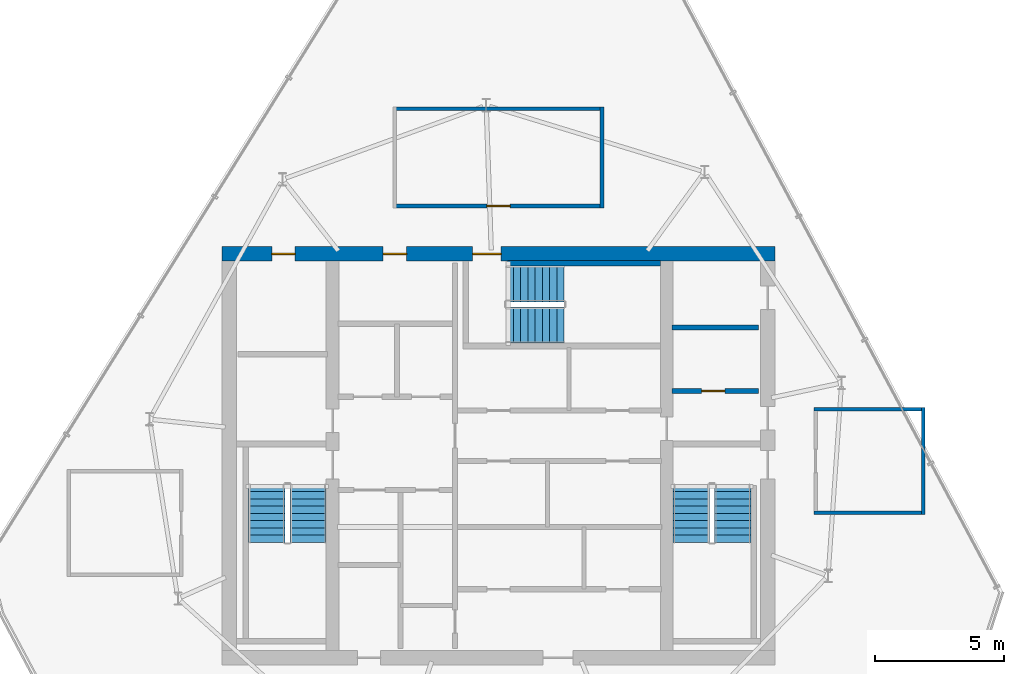
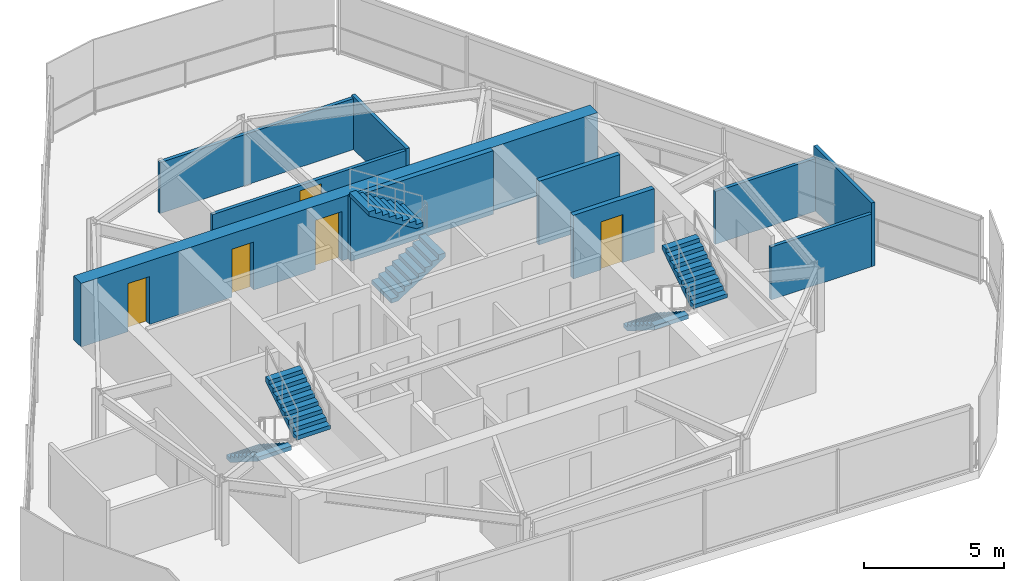
# One storey, part 15 of 16: 10 walls, 6 stair flights, 5 doors, 5 openings, 3 elements without a shape of their own.
"""IFC4 building model written with IfcOpenShell, lengths in metres."""

from ifc_helpers import new_model, si_unit, direction, frame, frame_2d, origin, place, context, subcontext, project, spatial, polyline, rectangle, outline, extrude, material, layer, layer_set, type_object, element, fill, aggregate, save


model = new_model("IFC4")

# Units and contexts
model_context = context("Model", 3, precision=1e-05, world=origin(), true_north=direction((0.0, 1.0)))
body_context = subcontext(model_context, "Body", "Model", "MODEL_VIEW")
ifc_project = project(units=[si_unit("LENGTHUNIT", "METRE"), si_unit("AREAUNIT", "SQUARE_METRE"), si_unit("VOLUMEUNIT", "CUBIC_METRE"), si_unit("PLANEANGLEUNIT", "RADIAN"), si_unit("MASSUNIT", "GRAM", prefix="KILO")], contexts=[model_context])

# Site, building, storey
site_placement = place(None, origin())
site = spatial("IfcSite", under=ifc_project, at=site_placement, CompositionType="ELEMENT")
building_placement = place(site_placement, origin())
building = spatial("IfcBuilding", under=site, at=building_placement, Name="Qarnah Convention Tower", CompositionType="ELEMENT")
storey_placement = place(building_placement, frame((0.0, 0.0, 286.699951171875)))
storey = spatial("IfcBuildingStorey", under=building, at=storey_placement, Name="L77", CompositionType="ELEMENT", Elevation=286.699951171875)

# Wall, openings, doors
ifc_material_1 = material(Name="Concrete C60/75", Category="concrete")
ifc_layer_1 = layer(ifc_material_1, 0.550048828125)
ifc_layer_set_1 = layer_set([ifc_layer_1], Name="Concrete C60/75")
wall_type_1 = type_object("IfcWallType", Name="WL-CORE-550", PredefinedType="SHEAR", material=ifc_layer_set_1)
wall_1_placement = place(storey_placement, frame((26.52490234375, 34.199951171875, 0.0), z_axis=(0.0, 0.0, 1.0), x_axis=(1.0, 0.0, 0.0)))
wall_1 = element("IfcWall", 1, at=wall_1_placement, inside=storey, type_object=wall_type_1, Name="L77 core north shear wall", PredefinedType="SHEAR", context=body_context, shape_type="SweptSolid", body=[
    extrude(rectangle(XDim=21.35009765625, YDim=0.550048828125, at=frame_2d((10.675048828125, 0.0))), origin(), (0.0, 0.0, 1.0), 2.780029296875),
])
opening_1_placement = place(wall_1_placement, frame((9.675048828125, 0.0, 0.0)))
opening_1 = element("IfcOpeningElement", 2, at=opening_1_placement, cuts=wall_1, Name="Opening D-7703", PredefinedType="OPENING", context=body_context, shape_type="SweptSolid", body=[
    extrude(rectangle(XDim=1.10009765625, YDim=2.14990234375, at=frame_2d((0.550048828125, 1.074951171875))), frame((0.0, 0.284912109375, 0.0), z_axis=(0.0, -1.0, 0.0), x_axis=(1.0, 0.0, 0.0)), (0.0, 0.0, 1.0), 0.570068359375),
])
opening_2_placement = place(wall_1_placement, frame((1.925048828125, 0.0, 0.0)))
opening_2 = element("IfcOpeningElement", 3, at=opening_2_placement, cuts=wall_1, Name="Opening D-7709", PredefinedType="OPENING", context=body_context, shape_type="SweptSolid", body=[
    extrude(rectangle(XDim=0.89990234375, YDim=2.10009765625, at=frame_2d((0.449951171875, 1.050048828125))), frame((0.0, 0.284912109375, 0.0), z_axis=(0.0, -1.0, 0.0), x_axis=(1.0, 0.0, 0.0)), (0.0, 0.0, 1.0), 0.570068359375),
])
opening_3_placement = place(wall_1_placement, frame((6.22509765625, 0.0, 0.0)))
opening_3 = element("IfcOpeningElement", 4, at=opening_3_placement, cuts=wall_1, Name="Opening D-7710", PredefinedType="OPENING", context=body_context, shape_type="SweptSolid", body=[
    extrude(rectangle(XDim=0.89990234375, YDim=2.10009765625, at=frame_2d((0.449951171875, 1.050048828125))), frame((0.0, 0.284912109375, 0.0), z_axis=(0.0, -1.0, 0.0), x_axis=(1.0, 0.0, 0.0)), (0.0, 0.0, 1.0), 0.570068359375),
])
ifc_material_2 = material(Name="Structural steel S355JR", Category="steel")
door_type_1 = type_object("IfcDoorType", Name="DT-RISER-900", OperationType="NOTDEFINED", PredefinedType="DOOR", material=ifc_material_2)
door_1_placement = place(opening_2_placement, origin())
door_1 = element("IfcDoor", 5, at=door_1_placement, inside=storey, type_object=door_type_1, Name="Door D-7709", OperationType="SINGLE_SWING_LEFT", OverallHeight=2.10009765625, OverallWidth=0.89990234375, PredefinedType="DOOR", context=body_context, shape_type="SweptSolid", body=[
    extrude(rectangle(XDim=0.89990234375, YDim=2.10009765625, at=frame_2d((0.449951171875, 1.050048828125))), frame((0.0, 0.02490234375, 0.0), z_axis=(0.0, -1.0, 0.0), x_axis=(1.0, 0.0, 0.0)), (0.0, 0.0, 1.0), 0.050048828125),
])
fill(opening_2, door_1)
door_2_placement = place(opening_3_placement, origin())
door_2 = element("IfcDoor", 6, at=door_2_placement, inside=storey, type_object=door_type_1, Name="Door D-7710", OperationType="SINGLE_SWING_RIGHT", OverallHeight=2.10009765625, OverallWidth=0.89990234375, PredefinedType="DOOR", context=body_context, shape_type="SweptSolid", body=[
    extrude(rectangle(XDim=0.89990234375, YDim=2.10009765625, at=frame_2d((0.449951171875, 1.050048828125))), frame((0.0, 0.02490234375, 0.0), z_axis=(0.0, -1.0, 0.0), x_axis=(1.0, 0.0, 0.0)), (0.0, 0.0, 1.0), 0.050048828125),
])
fill(opening_3, door_2)
door_type_2 = type_object("IfcDoorType", Name="DT-STAIR-1100", OperationType="NOTDEFINED", PredefinedType="DOOR", material=ifc_material_2)
door_3_placement = place(opening_1_placement, origin())
door_3 = element("IfcDoor", 7, at=door_3_placement, inside=storey, type_object=door_type_2, Name="Door D-7703", OperationType="SINGLE_SWING_LEFT", OverallHeight=2.14990234375, OverallWidth=1.10009765625, PredefinedType="DOOR", context=body_context, shape_type="SweptSolid", body=[
    extrude(rectangle(XDim=1.10009765625, YDim=2.14990234375, at=frame_2d((0.550048828125, 1.074951171875))), frame((0.0, 0.02490234375, 0.0), z_axis=(0.0, -1.0, 0.0), x_axis=(1.0, 0.0, 0.0)), (0.0, 0.0, 1.0), 0.050048828125),
])
fill(opening_1, door_3)

# Wall, opening, door
ifc_material_3 = material(Name="Concrete C45/55", Category="concrete")
ifc_layer_2 = layer(ifc_material_3, 0.199951171875)
ifc_layer_set_2 = layer_set([ifc_layer_2], Name="Concrete C45/55")
wall_type_2 = type_object("IfcWallType", Name="WL-CORE-PART-200", PredefinedType="SOLIDWALL", material=ifc_layer_set_2)
wall_2_placement = place(storey_placement, frame((43.89990234375, 28.89990234375, 0.0), z_axis=(0.0, 0.0, 1.0), x_axis=(1.0, 0.0, 0.0)))
wall_2 = element("IfcWall", 8, at=wall_2_placement, inside=storey, type_object=wall_type_2, Name="L77 interior wall IW-L77-EVSTN", PredefinedType="SOLIDWALL", context=body_context, shape_type="SweptSolid", body=[
    extrude(rectangle(XDim=3.35009765625, YDim=0.199951171875, at=frame_2d((1.675048828125, 0.0))), origin(), (0.0, 0.0, 1.0), 2.780029296875),
])
opening_4_placement = place(wall_2_placement, frame((1.14990234375, 0.0, 0.0)))
opening_4 = element("IfcOpeningElement", 9, at=opening_4_placement, cuts=wall_2, Name="Opening D-7711", PredefinedType="OPENING", context=body_context, shape_type="SweptSolid", body=[
    extrude(rectangle(XDim=0.89990234375, YDim=2.10009765625, at=frame_2d((0.449951171875, 1.050048828125))), frame((0.0, 0.10986328125, 0.0), z_axis=(0.0, -1.0, 0.0), x_axis=(1.0, 0.0, 0.0)), (0.0, 0.0, 1.0), 0.219970703125),
])
door_4_placement = place(opening_4_placement, origin())
door_4 = element("IfcDoor", 10, at=door_4_placement, inside=storey, type_object=door_type_1, Name="Door D-7711", OperationType="SINGLE_SWING_LEFT", OverallHeight=2.10009765625, OverallWidth=0.89990234375, PredefinedType="DOOR", context=body_context, shape_type="SweptSolid", body=[
    extrude(rectangle(XDim=0.89990234375, YDim=2.10009765625, at=frame_2d((0.449951171875, 1.050048828125))), frame((0.0, 0.02490234375, 0.0), z_axis=(0.0, -1.0, 0.0), x_axis=(1.0, 0.0, 0.0)), (0.0, 0.0, 1.0), 0.050048828125),
])
fill(opening_4, door_4)

# Walls
wall_3_placement = place(storey_placement, frame((43.89990234375, 31.35009765625, 0.0), z_axis=(0.0, 0.0, 1.0), x_axis=(1.0, 0.0, 0.0)))
element("IfcWall", 11, at=wall_3_placement, inside=storey, type_object=wall_type_2, Name="L77 interior wall IW-L77-WTRN", PredefinedType="SOLIDWALL", context=body_context, shape_type="SweptSolid", body=[
    extrude(rectangle(XDim=3.35009765625, YDim=0.199951171875, at=frame_2d((1.675048828125, 0.0))), origin(), (0.0, 0.0, 1.0), 2.780029296875),
])
ifc_layer_3 = layer(ifc_material_1, 0.219970703125)
ifc_layer_set_3 = layer_set([ifc_layer_3], Name="Concrete C60/75")
wall_type_3 = type_object("IfcWallType", Name="WL-CORE-STAIR-220", PredefinedType="SHEAR", material=ifc_layer_set_3)
wall_4_placement = place(storey_placement, frame((37.550048828125, 33.840087890625, 0.0), z_axis=(0.0, 0.0, 1.0), x_axis=(1.0, 0.0, 0.0)))
element("IfcWall", 12, at=wall_4_placement, inside=storey, type_object=wall_type_3, Name="L77 stair shaft shear wall SW-L77-ST3N", PredefinedType="SHEAR", context=body_context, shape_type="SweptSolid", body=[
    extrude(rectangle(XDim=5.89990234375, YDim=0.219970703125, at=frame_2d((2.949951171875, 0.0))), origin(), (0.0, 0.0, 1.0), 2.780029296875),
])
ifc_material_4 = material(Name="Gypsum partition board")
ifc_layer_4 = layer(ifc_material_4, 0.139892578125)
ifc_layer_set_4 = layer_set([ifc_layer_4], Name="Gypsum partition board")
wall_type_4 = type_object("IfcWallType", Name="WL-WET-140", PredefinedType="PARTITIONING", material=ifc_layer_set_4)
wall_5_placement = place(storey_placement, frame((49.3798828125, 24.199951171875, 0.0), z_axis=(0.0, 0.0, 1.0), x_axis=(1.0, 0.0, 0.0)))
element("IfcWall", 13, at=wall_5_placement, inside=storey, type_object=wall_type_4, Name="L77 interior wall IW-L77-SWGP-1", PredefinedType="PARTITIONING", context=body_context, shape_type="SweptSolid", body=[
    extrude(rectangle(XDim=4.2900390625, YDim=0.139892578125, at=frame_2d((2.14501953125, 0.0))), origin(), (0.0, 0.0, 1.0), 2.304931640625),
])
wall_6_placement = place(storey_placement, frame((53.60009765625, 24.1298828125, 0.0), z_axis=(0.0, 0.0, 1.0), x_axis=(0.0, 1.0, 0.0)))
element("IfcWall", 14, at=wall_6_placement, inside=storey, type_object=wall_type_4, Name="L77 interior wall IW-L77-SWGP-2", PredefinedType="PARTITIONING", context=body_context, shape_type="SweptSolid", body=[
    extrude(rectangle(XDim=4.14013671875, YDim=0.139892578125, at=frame_2d((2.070068359375, 0.0))), origin(), (0.0, 0.0, 1.0), 2.780029296875),
])
wall_7_placement = place(storey_placement, frame((53.669921875, 28.199951171875, 0.0), z_axis=(0.0, 0.0, 1.0), x_axis=(-1.0, 0.0, 0.0)))
element("IfcWall", 15, at=wall_7_placement, inside=storey, type_object=wall_type_4, Name="L77 interior wall IW-L77-SWGP-3", PredefinedType="PARTITIONING", context=body_context, shape_type="SweptSolid", body=[
    extrude(rectangle(XDim=4.2900390625, YDim=0.139892578125, at=frame_2d((2.14501953125, 0.0))), origin(), (0.0, 0.0, 1.0), 2.304931640625),
])

# Wall, opening, door
wall_8_placement = place(storey_placement, frame((33.1298828125, 36.050048828125, 0.0), z_axis=(0.0, 0.0, 1.0), x_axis=(1.0, 0.0, 0.0)))
wall_8 = element("IfcWall", 16, at=wall_8_placement, inside=storey, type_object=wall_type_4, Name="L77 interior wall IW-L77-AHUP-1", PredefinedType="PARTITIONING", context=body_context, shape_type="SweptSolid", body=[
    extrude(rectangle(XDim=8.14013671875, YDim=0.139892578125, at=frame_2d((4.070068359375, 0.0))), origin(), (0.0, 0.0, 1.0), 2.22900390625),
])
opening_5_placement = place(wall_8_placement, frame((3.6201171875, 0.0, 0.0)))
opening_5 = element("IfcOpeningElement", 17, at=opening_5_placement, cuts=wall_8, Name="Opening D-7724", PredefinedType="OPENING", context=body_context, shape_type="SweptSolid", body=[
    extrude(rectangle(XDim=0.89990234375, YDim=2.0, at=frame_2d((0.449951171875, 1.0))), frame((0.0, 0.079833984375, 0.0), z_axis=(0.0, -1.0, 0.0), x_axis=(1.0, 0.0, 0.0)), (0.0, 0.0, 1.0), 0.159912109375),
])
door_type_3 = type_object("IfcDoorType", Name="DT-PLANT-900", OperationType="NOTDEFINED", PredefinedType="DOOR", material=ifc_material_2)
door_5_placement = place(opening_5_placement, origin())
door_5 = element("IfcDoor", 18, at=door_5_placement, inside=storey, type_object=door_type_3, Name="Door D-7724", OperationType="SINGLE_SWING_RIGHT", OverallHeight=2.0, OverallWidth=0.89990234375, PredefinedType="DOOR", context=body_context, shape_type="SweptSolid", body=[
    extrude(rectangle(XDim=0.89990234375, YDim=2.0, at=frame_2d((0.449951171875, 1.0))), frame((0.0, 0.02490234375, 0.0), z_axis=(0.0, -1.0, 0.0), x_axis=(1.0, 0.0, 0.0)), (0.0, 0.0, 1.0), 0.050048828125),
])
fill(opening_5, door_5)

# Walls
wall_9_placement = place(storey_placement, frame((41.199951171875, 35.97998046875, 0.0), z_axis=(0.0, 0.0, 1.0), x_axis=(0.0, 1.0, 0.0)))
element("IfcWall", 19, at=wall_9_placement, inside=storey, type_object=wall_type_4, Name="L77 interior wall IW-L77-AHUP-2", PredefinedType="PARTITIONING", context=body_context, shape_type="SweptSolid", body=[
    extrude(rectangle(XDim=3.89013671875, YDim=0.139892578125, at=frame_2d((1.945068359375, 0.0))), origin(), (0.0, 0.0, 1.0), 2.304931640625),
])
wall_10_placement = place(storey_placement, frame((41.27001953125, 39.800048828125, 0.0), z_axis=(0.0, 0.0, 1.0), x_axis=(-1.0, 0.0, 0.0)))
element("IfcWall", 20, at=wall_10_placement, inside=storey, type_object=wall_type_4, Name="L77 interior wall IW-L77-AHUP-3", PredefinedType="PARTITIONING", context=body_context, shape_type="SweptSolid", body=[
    extrude(rectangle(XDim=8.14013671875, YDim=0.139892578125, at=frame_2d((4.070068359375, 0.0))), origin(), (0.0, 0.0, 1.0), 2.22900390625),
])

# Stair, stair flights
ifc_material_5 = material(Name="Concrete C50/60", Category="concrete")
stair_type = type_object("IfcStairType", Name="STR-CRN", PredefinedType="HALF_TURN_STAIR", material=ifc_material_5)
stair_1_placement = place(storey_placement, origin())
stair_1 = element("IfcStair", 21, at=stair_1_placement, inside=storey, type_object=stair_type, Name="L77 Core exit stair ST-1", PredefinedType="HALF_TURN_STAIR")
stair_flight_type = type_object("IfcStairFlightType", Name="FLT-CRN", PredefinedType="STRAIGHT", material=ifc_material_5)
stair_flight_1_placement = place(storey_placement, frame((28.25, 25.300048828125, 0.0), z_axis=(0.0, 0.0, 1.0), x_axis=(0.0, -1.0, 0.0)))
stair_flight_1 = element("IfcStairFlight", 22, at=stair_flight_1_placement, type_object=stair_flight_type, Name="ST-1 flight 1", NumberOfRisers=9, NumberOfTreads=8, PredefinedType="STRAIGHT", RiserHeight=0.177777778, TreadLength=0.28, context=body_context, shape_type="SweptSolid", body=[
    extrude(outline(polyline([(0.0, 0.0), (0.0, 0.177734375), (0.280029296875, 0.177734375), (0.280029296875, 0.35546875), (0.56005859375, 0.35546875), (0.56005859375, 0.533447265625), (0.840087890625, 0.533447265625), (0.840087890625, 0.711181640625), (1.1201171875, 0.711181640625), (1.1201171875, 0.888916015625), (1.39990234375, 0.888916015625), (1.39990234375, 1.066650390625), (1.679931640625, 1.066650390625), (1.679931640625, 1.244384765625), (1.9599609375, 1.244384765625), (1.9599609375, 1.422119140625), (2.239990234375, 1.422119140625), (2.239990234375, 1.60009765625), (2.239990234375, 1.24462890625), (0.27978515625, 0.0), (0.0, 0.0)])), frame((0.0, 0.699951171875, 0.0), z_axis=(0.0, -1.0, 0.0), x_axis=(1.0, 0.0, 0.0)), (0.0, 0.0, 1.0), 1.39990234375),
])
stair_flight_2_placement = place(storey_placement, frame((29.85009765625, 23.06005859375, 1.60009765625), z_axis=(0.0, 0.0, 1.0), x_axis=(0.0, 1.0, 0.0)))
stair_flight_2 = element("IfcStairFlight", 23, at=stair_flight_2_placement, type_object=stair_flight_type, Name="ST-1 flight 2", NumberOfRisers=9, NumberOfTreads=8, PredefinedType="STRAIGHT", RiserHeight=0.177777778, TreadLength=0.28, context=body_context, shape_type="SweptSolid", body=[
    extrude(outline(polyline([(0.0, 0.0), (0.0, 0.177734375), (0.280029296875, 0.177734375), (0.280029296875, 0.35546875), (0.56005859375, 0.35546875), (0.56005859375, 0.533447265625), (0.840087890625, 0.533447265625), (0.840087890625, 0.711181640625), (1.1201171875, 0.711181640625), (1.1201171875, 0.888916015625), (1.39990234375, 0.888916015625), (1.39990234375, 1.066650390625), (1.679931640625, 1.066650390625), (1.679931640625, 1.244384765625), (1.9599609375, 1.244384765625), (1.9599609375, 1.422119140625), (2.239990234375, 1.422119140625), (2.239990234375, 1.60009765625), (2.239990234375, 1.24462890625), (0.27978515625, 0.0), (0.0, 0.0)])), frame((0.0, 0.699951171875, 0.0), z_axis=(0.0, -1.0, 0.0), x_axis=(1.0, 0.0, 0.0)), (0.0, 0.0, 1.0), 1.39990234375),
])
aggregate(stair_1, [stair_flight_1, stair_flight_2])

stair_2_placement = place(storey_placement, origin())
stair_2 = element("IfcStair", 24, at=stair_2_placement, inside=storey, type_object=stair_type, Name="L77 Core exit stair ST-2", PredefinedType="HALF_TURN_STAIR")
stair_flight_3_placement = place(storey_placement, frame((44.64990234375, 25.300048828125, 0.0), z_axis=(0.0, 0.0, 1.0), x_axis=(0.0, -1.0, 0.0)))
stair_flight_3 = element("IfcStairFlight", 25, at=stair_flight_3_placement, type_object=stair_flight_type, Name="ST-2 flight 1", NumberOfRisers=9, NumberOfTreads=8, PredefinedType="STRAIGHT", RiserHeight=0.177777778, TreadLength=0.28, context=body_context, shape_type="SweptSolid", body=[
    extrude(outline(polyline([(0.0, 0.0), (0.0, 0.177734375), (0.280029296875, 0.177734375), (0.280029296875, 0.35546875), (0.56005859375, 0.35546875), (0.56005859375, 0.533447265625), (0.840087890625, 0.533447265625), (0.840087890625, 0.711181640625), (1.1201171875, 0.711181640625), (1.1201171875, 0.888916015625), (1.39990234375, 0.888916015625), (1.39990234375, 1.066650390625), (1.679931640625, 1.066650390625), (1.679931640625, 1.244384765625), (1.9599609375, 1.244384765625), (1.9599609375, 1.422119140625), (2.239990234375, 1.422119140625), (2.239990234375, 1.60009765625), (2.239990234375, 1.24462890625), (0.27978515625, 0.0), (0.0, 0.0)])), frame((0.0, 0.699951171875, 0.0), z_axis=(0.0, -1.0, 0.0), x_axis=(1.0, 0.0, 0.0)), (0.0, 0.0, 1.0), 1.39990234375),
])
stair_flight_4_placement = place(storey_placement, frame((46.25, 23.06005859375, 1.60009765625), z_axis=(0.0, 0.0, 1.0), x_axis=(0.0, 1.0, 0.0)))
stair_flight_4 = element("IfcStairFlight", 26, at=stair_flight_4_placement, type_object=stair_flight_type, Name="ST-2 flight 2", NumberOfRisers=9, NumberOfTreads=8, PredefinedType="STRAIGHT", RiserHeight=0.177777778, TreadLength=0.28, context=body_context, shape_type="SweptSolid", body=[
    extrude(outline(polyline([(0.0, 0.0), (0.0, 0.177734375), (0.280029296875, 0.177734375), (0.280029296875, 0.35546875), (0.56005859375, 0.35546875), (0.56005859375, 0.533447265625), (0.840087890625, 0.533447265625), (0.840087890625, 0.711181640625), (1.1201171875, 0.711181640625), (1.1201171875, 0.888916015625), (1.39990234375, 0.888916015625), (1.39990234375, 1.066650390625), (1.679931640625, 1.066650390625), (1.679931640625, 1.244384765625), (1.9599609375, 1.244384765625), (1.9599609375, 1.422119140625), (2.239990234375, 1.422119140625), (2.239990234375, 1.60009765625), (2.239990234375, 1.24462890625), (0.27978515625, 0.0), (0.0, 0.0)])), frame((0.0, 0.699951171875, 0.0), z_axis=(0.0, -1.0, 0.0), x_axis=(1.0, 0.0, 0.0)), (0.0, 0.0, 1.0), 1.39990234375),
])
aggregate(stair_2, [stair_flight_3, stair_flight_4])

stair_3_placement = place(storey_placement, origin())
stair_3 = element("IfcStair", 27, at=stair_3_placement, inside=storey, type_object=stair_type, Name="L77 Core exit stair ST-3", PredefinedType="HALF_TURN_STAIR")
stair_flight_5_placement = place(storey_placement, frame((37.5, 31.449951171875, 0.0), z_axis=(0.0, 0.0, 1.0), x_axis=(1.0, 0.0, 0.0)))
stair_flight_5 = element("IfcStairFlight", 28, at=stair_flight_5_placement, type_object=stair_flight_type, Name="ST-3 flight 1", NumberOfRisers=9, NumberOfTreads=8, PredefinedType="STRAIGHT", RiserHeight=0.177777778, TreadLength=0.28, context=body_context, shape_type="SweptSolid", body=[
    extrude(outline(polyline([(0.0, 0.0), (0.0, 0.177734375), (0.280029296875, 0.177734375), (0.280029296875, 0.35546875), (0.56005859375, 0.35546875), (0.56005859375, 0.533447265625), (0.840087890625, 0.533447265625), (0.840087890625, 0.711181640625), (1.1201171875, 0.711181640625), (1.1201171875, 0.888916015625), (1.39990234375, 0.888916015625), (1.39990234375, 1.066650390625), (1.679931640625, 1.066650390625), (1.679931640625, 1.244384765625), (1.9599609375, 1.244384765625), (1.9599609375, 1.422119140625), (2.239990234375, 1.422119140625), (2.239990234375, 1.60009765625), (2.239990234375, 1.24462890625), (0.27978515625, 0.0), (0.0, 0.0)])), frame((0.0, 0.699951171875, 0.0), z_axis=(0.0, -1.0, 0.0), x_axis=(1.0, 0.0, 0.0)), (0.0, 0.0, 1.0), 1.39990234375),
])
stair_flight_6_placement = place(storey_placement, frame((39.739990234375, 33.050048828125, 1.60009765625), z_axis=(0.0, 0.0, 1.0), x_axis=(-1.0, 0.0, 0.0)))
stair_flight_6 = element("IfcStairFlight", 29, at=stair_flight_6_placement, type_object=stair_flight_type, Name="ST-3 flight 2", NumberOfRisers=9, NumberOfTreads=8, PredefinedType="STRAIGHT", RiserHeight=0.177777778, TreadLength=0.28, context=body_context, shape_type="SweptSolid", body=[
    extrude(outline(polyline([(0.0, 0.0), (0.0, 0.177734375), (0.280029296875, 0.177734375), (0.280029296875, 0.35546875), (0.56005859375, 0.35546875), (0.56005859375, 0.533447265625), (0.840087890625, 0.533447265625), (0.840087890625, 0.711181640625), (1.1201171875, 0.711181640625), (1.1201171875, 0.888916015625), (1.39990234375, 0.888916015625), (1.39990234375, 1.066650390625), (1.679931640625, 1.066650390625), (1.679931640625, 1.244384765625), (1.9599609375, 1.244384765625), (1.9599609375, 1.422119140625), (2.239990234375, 1.422119140625), (2.239990234375, 1.60009765625), (2.239990234375, 1.24462890625), (0.27978515625, 0.0), (0.0, 0.0)])), frame((0.0, 0.699951171875, 0.0), z_axis=(0.0, -1.0, 0.0), x_axis=(1.0, 0.0, 0.0)), (0.0, 0.0, 1.0), 1.39990234375),
])
aggregate(stair_3, [stair_flight_5, stair_flight_6])

save(model, "model.ifc")
